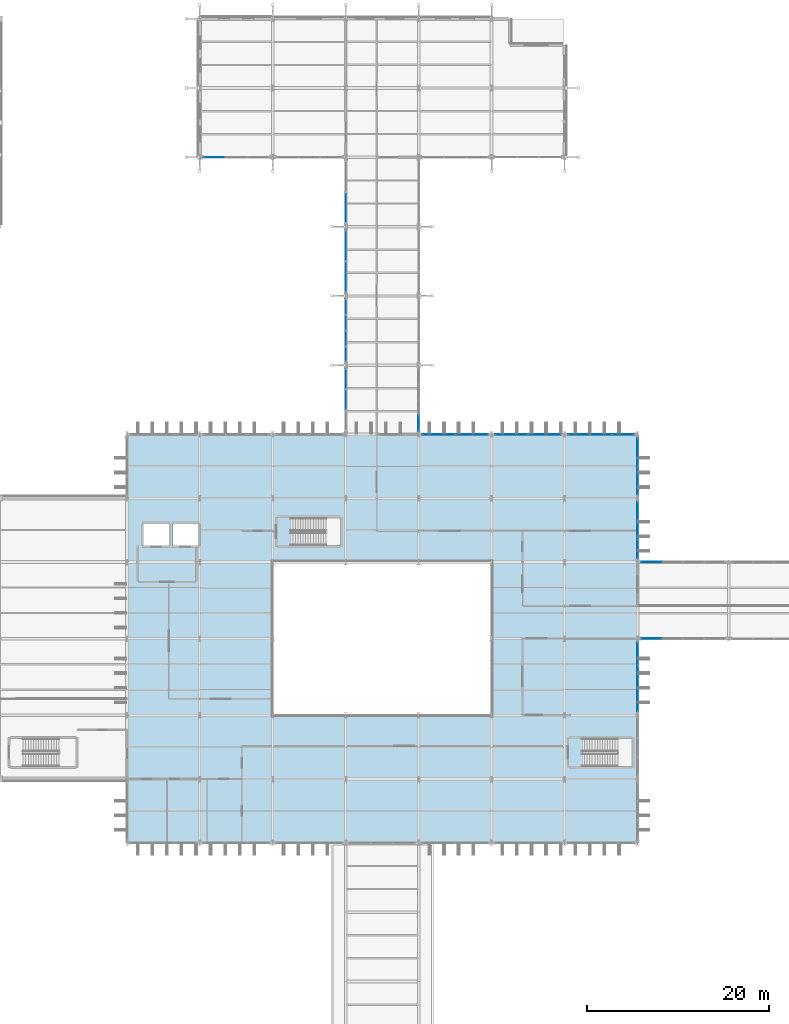
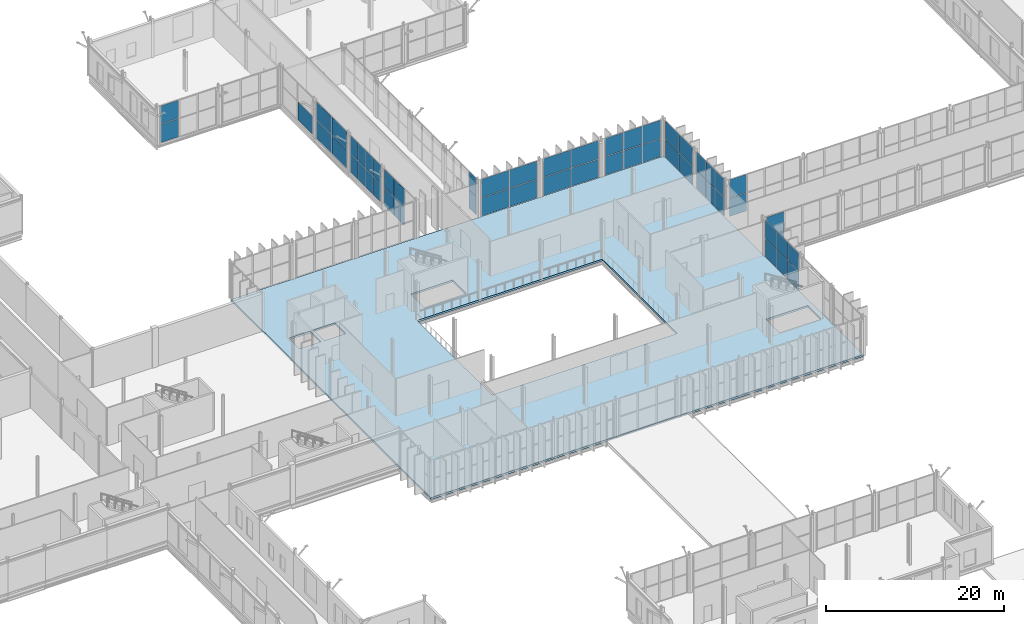
# One storey, part 103 of 147: 55 plates, 1 slab, 14 elements without a shape of their own.
"""IFC4 building model written with IfcOpenShell, lengths in metres."""

import ifcopenshell
import ifcopenshell.guid

model = None  # the IFC model being written
_history = None  # IfcOwnerHistory: only IFC2X3 demands one
_inside = {}  # id of a spatial element -> (the spatial element, [elements in it])
_under = {}  # id of a project, library or spatial element -> (it, [spatial elements below it])
_declared = {}  # id of a project -> (the project, [libraries it declares])
_typed = {}  # id of a type object -> (the type object, [elements of that type])
_made_of = {}  # id of a material, layer set ... -> (it, [elements and type objects made of it])


def new_model(schema):
    """Start an empty IFC model of exactly this schema.

    Asked for "IFC4X3", IfcOpenShell would pick the latest addendum, in which some entities
    have other attributes; the version numbers below select the first issue.
    IFC2X3 requires an IfcOwnerHistory on every rooted entity: one is made here for all.
    """
    global model, _history
    if schema == "IFC4X3":
        model = ifcopenshell.file(schema_version=(4, 3, 0, 0))
    else:
        model = ifcopenshell.file(schema=schema)
    _inside.clear()
    _under.clear()
    _declared.clear()
    _typed.clear()
    _made_of.clear()
    _history = None
    if model.schema == "IFC2X3":
        org = make("IfcOrganization", Name="unknown")
        user = make(
            "IfcPersonAndOrganization",
            ThePerson=make("IfcPerson", FamilyName="unknown"),
            TheOrganization=org,
        )
        app = make(
            "IfcApplication",
            ApplicationDeveloper=org,
            Version="unknown",
            ApplicationFullName="unknown",
            ApplicationIdentifier="unknown",
        )
        _history = make(
            "IfcOwnerHistory",
            OwningUser=user,
            OwningApplication=app,
            ChangeAction="ADDED",
            CreationDate=0,
        )
    return model


def make(cls, **values):
    """One entity of the class cls with the attributes given. An attribute that is None is left unset."""
    return model.create_entity(
        cls, **{name: value for name, value in values.items() if value is not None}
    )


def rooted(cls, **values):
    """An entity with a GlobalId (a new one), such as an element, a storey or a relation."""
    return make(cls, GlobalId=ifcopenshell.guid.new(), OwnerHistory=_history, **values)


def si_unit(unit_type, name, prefix=None):
    """IfcSIUnit, for example si_unit("LENGTHUNIT", "METRE", prefix="MILLI")."""
    return make("IfcSIUnit", UnitType=unit_type, Prefix=prefix, Name=name)


def assignment(units):
    """IfcUnitAssignment: the units of a project."""
    return None if units is None else make("IfcUnitAssignment", Units=units)


def point(xyz):
    """IfcCartesianPoint."""
    return None if xyz is None else make("IfcCartesianPoint", Coordinates=xyz)


def direction(xyz):
    """IfcDirection."""
    return None if xyz is None else make("IfcDirection", DirectionRatios=xyz)


def frame(location, z_axis=None, x_axis=None):
    """IfcAxis2Placement3D, a coordinate frame: its origin and axes. An axis left out is left unset."""
    return make(
        "IfcAxis2Placement3D",
        Location=point(location),
        Axis=direction(z_axis),
        RefDirection=direction(x_axis),
    )


def frame_2d(location, x_axis=None):
    """IfcAxis2Placement2D, a coordinate frame in the plane: its origin and x axis."""
    return make(
        "IfcAxis2Placement2D", Location=point(location), RefDirection=direction(x_axis)
    )


def origin():
    """The frame at (0, 0, 0) with its axes left unset."""
    return frame((0.0, 0.0, 0.0))


def origin_2d():
    """The frame at (0, 0) in the plane with its x axis left unset."""
    return frame_2d((0.0, 0.0))


def place(relative_to, where):
    """IfcLocalPlacement: puts the frame where relative to a parent placement (None: the world)."""
    return make(
        "IfcLocalPlacement", PlacementRelTo=relative_to, RelativePlacement=where
    )


def context(
    kind, dimensions, precision=None, world=None, true_north=None, identifier=None
):
    """IfcGeometricRepresentationContext, for example the 3D "Model" context."""
    return make(
        "IfcGeometricRepresentationContext",
        ContextIdentifier=identifier,
        ContextType=kind,
        CoordinateSpaceDimension=dimensions,
        Precision=precision,
        WorldCoordinateSystem=world,
        TrueNorth=true_north,
    )


def subcontext(parent, identifier, kind, view, scale=None):
    """IfcGeometricRepresentationSubContext, for example "Body" below "Model"."""
    return make(
        "IfcGeometricRepresentationSubContext",
        ContextIdentifier=identifier,
        ContextType=kind,
        ParentContext=parent,
        TargetScale=scale,
        TargetView=view,
    )


def project(units=None, contexts=None):
    """IfcProject with its units and contexts."""
    return rooted(
        "IfcProject",
        Name="project",
        RepresentationContexts=contexts,
        UnitsInContext=assignment(units),
    )


def spatial(cls, under=None, at=None, **own):
    """A site, building, storey or space (cls), placed at a placement, below another one or the project."""
    s = rooted(cls, ObjectPlacement=at, **own)
    if under is not None:
        _under.setdefault(under.id(), (under, []))[1].append(s)
    return s


def polyline(points):
    """IfcPolyline through the points."""
    return make("IfcPolyline", Points=[point(p) for p in points])


def profile(cls, at=None, kind="AREA", **sizes):
    """A parametric profile (cls). Its sizes go by their IFC names, for example OverallWidth=200.0."""
    return make(cls, ProfileType=kind, Position=at, **sizes)


def rectangle(**sizes):
    """IfcRectangleProfileDef."""
    return profile("IfcRectangleProfileDef", **sizes)


def outline(outer, holes=None, kind="AREA"):
    """IfcArbitraryClosedProfileDef: a profile drawn as a closed curve; with holes, ...WithVoids."""
    if holes is None:
        return make("IfcArbitraryClosedProfileDef", ProfileType=kind, OuterCurve=outer)
    return make(
        "IfcArbitraryProfileDefWithVoids",
        ProfileType=kind,
        OuterCurve=outer,
        InnerCurves=holes,
    )


def extrude(swept, where, along, depth):
    """IfcExtrudedAreaSolid: the profile swept, set in the frame where, extruded along a direction by depth."""
    return make(
        "IfcExtrudedAreaSolid",
        SweptArea=swept,
        Position=where,
        ExtrudedDirection=direction(along),
        Depth=depth,
    )


def shape(context_of_items, identifier, shape_type, items):
    """IfcShapeRepresentation: the items that make up one representation, for example the "Body"."""
    return make(
        "IfcShapeRepresentation",
        ContextOfItems=context_of_items,
        RepresentationIdentifier=identifier,
        RepresentationType=shape_type,
        Items=items,
    )


def material(Name=None, Category=None):
    """IfcMaterial."""
    return make("IfcMaterial", Name=Name, Category=Category)


def layer(
    of_material, thickness, ventilated=None, Name=None, Category=None, Priority=None
):
    """IfcMaterialLayer: one layer of a wall or slab, of a material (None: an air gap)."""
    return make(
        "IfcMaterialLayer",
        Material=of_material,
        LayerThickness=thickness,
        IsVentilated=ventilated,
        Name=Name,
        Category=Category,
        Priority=Priority,
    )


def layer_set(layers, Name=None):
    """IfcMaterialLayerSet."""
    return make("IfcMaterialLayerSet", MaterialLayers=layers, LayerSetName=Name)


def made_of(thing, what):
    """Note that an element or type object is made of a material, layer set ...; save() writes the relation."""
    if what is not None:
        _made_of.setdefault(what.id(), (what, []))[1].append(thing)
    return thing


def type_object(cls, material=None, **own):
    """A type object (cls), such as IfcWallType, which elements share."""
    return made_of(rooted(cls, **own), material)


def element(
    cls,
    number,
    at=None,
    inside=None,
    cuts=None,
    type_object=None,
    material=None,
    context=None,
    identifier="Body",
    shape_type=None,
    held_by="IfcProductDefinitionShape",
    body=None,
    shapes=None,
    **own,
):
    """One element of the class cls, such as IfcWall. Its Tag is "e" and its number.

    at: its placement. inside: the storey or other place that contains it. cuts: it is an
    opening in that element (IfcRelVoidsElement). A single representation is given by context,
    identifier, shape_type and body (its items); several are given by shapes. held_by: the class
    of the entity that holds the representations. save() writes the other relations.
    """
    e = rooted(cls, Tag="e%d" % number, ObjectPlacement=at, **own)
    if body is not None:
        shapes = [shape(context, identifier, shape_type, body)]
    if shapes is not None:
        e.Representation = make(held_by, Representations=shapes)
    if inside is not None:
        _inside.setdefault(inside.id(), (inside, []))[1].append(e)
    if cuts is not None:
        rooted(
            "IfcRelVoidsElement", RelatingBuildingElement=cuts, RelatedOpeningElement=e
        )
    if type_object is not None:
        _typed.setdefault(type_object.id(), (type_object, []))[1].append(e)
    return made_of(e, material)


def aggregate(whole, parts):
    """IfcRelAggregates: a whole, such as a stair, and the parts it consists of."""
    return rooted("IfcRelAggregates", RelatingObject=whole, RelatedObjects=parts)


def save(model, path):
    """Write the relations noted so far, then the file.

    IfcRelAggregates (storeys below a building ...), IfcRelContainedInSpatialStructure (elements
    in a storey), IfcRelDefinesByType, IfcRelAssociatesMaterial and IfcRelDeclares: one each for
    every whole, place, type object, material and project.
    """
    for whole, parts in _under.values():
        aggregate(whole, parts)
    for where, things in _inside.values():
        rooted(
            "IfcRelContainedInSpatialStructure",
            RelatedElements=things,
            RelatingStructure=where,
        )
    for kind, things in _typed.values():
        rooted("IfcRelDefinesByType", RelatedObjects=things, RelatingType=kind)
    for what, things in _made_of.values():
        rooted("IfcRelAssociatesMaterial", RelatedObjects=things, RelatingMaterial=what)
    for by, libraries in _declared.values():
        rooted("IfcRelDeclares", RelatingContext=by, RelatedDefinitions=libraries)
    model.write(path)


model = new_model("IFC4")

# Units and contexts
model_context = context("Model", 3, precision=1e-05, world=origin(), true_north=direction((0.0, 1.0)))
body_context = subcontext(model_context, "Body", "Model", "MODEL_VIEW")
ifc_project = project(units=[si_unit("LENGTHUNIT", "METRE"), si_unit("AREAUNIT", "SQUARE_METRE"), si_unit("VOLUMEUNIT", "CUBIC_METRE"), si_unit("PLANEANGLEUNIT", "RADIAN"), si_unit("MASSUNIT", "GRAM", prefix="KILO")], contexts=[model_context])

# Site, building, storey
site_placement = place(None, origin())
site = spatial("IfcSite", under=ifc_project, at=site_placement, CompositionType="ELEMENT")
building_placement = place(site_placement, origin())
building = spatial("IfcBuilding", under=site, at=building_placement, Name="Vekula Escarpment Museum", CompositionType="ELEMENT")
storey_placement = place(building_placement, frame((0.0, 0.0, 7.800048828125)))
storey = spatial("IfcBuildingStorey", under=building, at=storey_placement, Name="L02", CompositionType="ELEMENT", Elevation=7.800048828125)

# Curtain wall, plates
ifc_material_1 = material(Name="Aluminium thermally broken framing", Category="aluminium")
ifc_layer_1 = layer(ifc_material_1, 0.139892578125)
ifc_layer_set_1 = layer_set([ifc_layer_1], Name="Aluminium thermally broken framing")
curtain_wall_type_1 = type_object("IfcCurtainWallType", Name="CW-SYS-06", PredefinedType="NOTDEFINED", material=ifc_layer_set_1)
curtain_wall_1_placement = place(storey_placement, origin())
curtain_wall_1 = element("IfcCurtainWall", 1, at=curtain_wall_1_placement, inside=storey, type_object=curtain_wall_type_1, Name="Curtain Wall CW-L02-076", PredefinedType="NOTDEFINED")
ifc_material_2 = material(Name="Double solar-control low-E glass", Category="glass")
ifc_layer_2 = layer(ifc_material_2, 0.028076171875)
ifc_layer_set_2 = layer_set([ifc_layer_2], Name="Double solar-control low-E glass")
plate_type_1 = type_object("IfcPlateType", Name="CW-PNL-28", PredefinedType="CURTAIN_PANEL", material=ifc_layer_set_2)
plate_1_placement = place(storey_placement, frame((124.410400390625, 90.39990234375, 0.06494140625), z_axis=(0.0, 0.0, 1.0), x_axis=(-1.0, 0.0, 0.0)))
plate_1 = element("IfcPlate", 2, at=plate_1_placement, type_object=plate_type_1, Name="CW-06 panel 1.1", PredefinedType="CURTAIN_PANEL", context=body_context, shape_type="SweptSolid", body=[
    extrude(rectangle(XDim=2.3291015625, YDim=0.028076171875, at=origin_2d()), origin(), (0.0, 0.0, 1.0), 2.4775390625),
])
plate_2_placement = place(storey_placement, frame((124.410400390625, 90.39990234375, 2.607421875), z_axis=(0.0, 0.0, 1.0), x_axis=(-1.0, 0.0, 0.0)))
plate_2 = element("IfcPlate", 3, at=plate_2_placement, type_object=plate_type_1, Name="CW-06 panel 1.2", PredefinedType="CURTAIN_PANEL", context=body_context, shape_type="SweptSolid", body=[
    extrude(rectangle(XDim=2.3291015625, YDim=0.028076171875, at=origin_2d()), origin(), (0.0, 0.0, 1.0), 2.4775390625),
])
plate_3_placement = place(storey_placement, frame((122.0, 90.39990234375, 0.06494140625), z_axis=(0.0, 0.0, 1.0), x_axis=(-1.0, 0.0, 0.0)))
plate_3 = element("IfcPlate", 4, at=plate_3_placement, type_object=plate_type_1, Name="CW-06 panel 2.1", PredefinedType="CURTAIN_PANEL", context=body_context, shape_type="SweptSolid", body=[
    extrude(rectangle(XDim=2.361572265625, YDim=0.028076171875, at=origin_2d()), origin(), (0.0, 0.0, 1.0), 2.4775390625),
])
plate_4_placement = place(storey_placement, frame((122.0, 90.39990234375, 2.607421875), z_axis=(0.0, 0.0, 1.0), x_axis=(-1.0, 0.0, 0.0)))
plate_4 = element("IfcPlate", 5, at=plate_4_placement, type_object=plate_type_1, Name="CW-06 panel 2.2", PredefinedType="CURTAIN_PANEL", context=body_context, shape_type="SweptSolid", body=[
    extrude(rectangle(XDim=2.361572265625, YDim=0.028076171875, at=origin_2d()), origin(), (0.0, 0.0, 1.0), 2.4775390625),
])
plate_5_placement = place(storey_placement, frame((119.589599609375, 90.39990234375, 0.06494140625), z_axis=(0.0, 0.0, 1.0), x_axis=(-1.0, 0.0, 0.0)))
plate_5 = element("IfcPlate", 6, at=plate_5_placement, type_object=plate_type_1, Name="CW-06 panel 3.1", PredefinedType="CURTAIN_PANEL", context=body_context, shape_type="SweptSolid", body=[
    extrude(rectangle(XDim=2.3291015625, YDim=0.028076171875, at=origin_2d()), origin(), (0.0, 0.0, 1.0), 2.4775390625),
])
plate_6_placement = place(storey_placement, frame((119.589599609375, 90.39990234375, 2.607421875), z_axis=(0.0, 0.0, 1.0), x_axis=(-1.0, 0.0, 0.0)))
plate_6 = element("IfcPlate", 7, at=plate_6_placement, type_object=plate_type_1, Name="CW-06 panel 3.2", PredefinedType="CURTAIN_PANEL", context=body_context, shape_type="SweptSolid", body=[
    extrude(rectangle(XDim=2.3291015625, YDim=0.028076171875, at=origin_2d()), origin(), (0.0, 0.0, 1.0), 2.4775390625),
])
aggregate(curtain_wall_1, [plate_1, plate_2, plate_3, plate_4, plate_5, plate_6])

ifc_material_3 = material(Name="Aluminium thermally broken framing", Category="aluminium")
ifc_layer_3 = layer(ifc_material_3, 0.179931640625)
ifc_layer_set_3 = layer_set([ifc_layer_3], Name="Aluminium thermally broken framing")
curtain_wall_type_2 = type_object("IfcCurtainWallType", Name="CW-SYS-08", PredefinedType="NOTDEFINED", material=ifc_layer_set_3)
curtain_wall_2_placement = place(storey_placement, origin())
curtain_wall_2 = element("IfcCurtainWall", 8, at=curtain_wall_2_placement, inside=storey, type_object=curtain_wall_type_2, Name="Curtain Wall CW-L02-088", PredefinedType="NOTDEFINED")
plate_7_placement = place(storey_placement, frame((94.0, 111.103759765625, 0.06494140625), z_axis=(0.0, 0.0, 1.0), x_axis=(0.0, -1.0, 0.0)))
plate_7 = element("IfcPlate", 9, at=plate_7_placement, type_object=plate_type_1, Name="CW-08 panel 1.1", PredefinedType="CURTAIN_PANEL", context=body_context, shape_type="SweptSolid", body=[
    extrude(rectangle(XDim=3.342529296875, YDim=0.028076171875, at=origin_2d()), origin(), (0.0, 0.0, 1.0), 2.4775390625),
])
plate_8_placement = place(storey_placement, frame((94.0, 111.103759765625, 2.607421875), z_axis=(0.0, 0.0, 1.0), x_axis=(0.0, -1.0, 0.0)))
plate_8 = element("IfcPlate", 10, at=plate_8_placement, type_object=plate_type_1, Name="CW-08 panel 1.2", PredefinedType="CURTAIN_PANEL", context=body_context, shape_type="SweptSolid", body=[
    extrude(rectangle(XDim=3.342529296875, YDim=0.028076171875, at=origin_2d()), origin(), (0.0, 0.0, 1.0), 2.4775390625),
])
plate_9_placement = place(storey_placement, frame((94.0, 107.6962890625, 0.06494140625), z_axis=(0.0, 0.0, 1.0), x_axis=(0.0, -1.0, 0.0)))
plate_9 = element("IfcPlate", 11, at=plate_9_placement, type_object=plate_type_1, Name="CW-08 panel 2.1", PredefinedType="CURTAIN_PANEL", context=body_context, shape_type="SweptSolid", body=[
    extrude(rectangle(XDim=3.342529296875, YDim=0.028076171875, at=origin_2d()), origin(), (0.0, 0.0, 1.0), 2.4775390625),
])
plate_10_placement = place(storey_placement, frame((94.0, 107.6962890625, 2.607421875), z_axis=(0.0, 0.0, 1.0), x_axis=(0.0, -1.0, 0.0)))
plate_10 = element("IfcPlate", 12, at=plate_10_placement, type_object=plate_type_1, Name="CW-08 panel 2.2", PredefinedType="CURTAIN_PANEL", context=body_context, shape_type="SweptSolid", body=[
    extrude(rectangle(XDim=3.342529296875, YDim=0.028076171875, at=origin_2d()), origin(), (0.0, 0.0, 1.0), 2.4775390625),
])
aggregate(curtain_wall_2, [plate_7, plate_8, plate_9, plate_10])

ifc_material_4 = material(Name="Aluminium thermally broken framing", Category="aluminium")
ifc_layer_4 = layer(ifc_material_4, 0.199951171875)
ifc_layer_set_4 = layer_set([ifc_layer_4], Name="Aluminium thermally broken framing")
curtain_wall_type_3 = type_object("IfcCurtainWallType", Name="CW-SYS-03", PredefinedType="NOTDEFINED", material=ifc_layer_set_4)
curtain_wall_3_placement = place(storey_placement, origin())
curtain_wall_3 = element("IfcCurtainWall", 13, at=curtain_wall_3_placement, inside=storey, type_object=curtain_wall_type_3, Name="Curtain Wall CW-L02-073", PredefinedType="NOTDEFINED")
ifc_material_5 = material(Name="Acoustic laminated double low-E glass", Category="glass")
ifc_layer_5 = layer(ifc_material_5, 0.031982421875)
ifc_layer_set_5 = layer_set([ifc_layer_5], Name="Acoustic laminated double low-E glass")
plate_type_2 = type_object("IfcPlateType", Name="CW-PNL-32", PredefinedType="CURTAIN_PANEL", material=ifc_layer_set_5)
plate_11_placement = place(storey_placement, frame((127.5361328125, 76.39990234375, 0.06494140625), z_axis=(0.0, 0.0, 1.0), x_axis=(-1.0, 0.0, 0.0)))
plate_11 = element("IfcPlate", 14, at=plate_11_placement, type_object=plate_type_2, Name="CW-03 panel 4.1", PredefinedType="CURTAIN_PANEL", context=body_context, shape_type="SweptSolid", body=[
    extrude(rectangle(XDim=2.222412109375, YDim=0.031982421875, at=origin_2d()), origin(), (0.0, 0.0, 1.0), 2.4775390625),
])
plate_12_placement = place(storey_placement, frame((127.5361328125, 76.39990234375, 2.607421875), z_axis=(0.0, 0.0, 1.0), x_axis=(-1.0, 0.0, 0.0)))
plate_12 = element("IfcPlate", 15, at=plate_12_placement, type_object=plate_type_2, Name="CW-03 panel 4.2", PredefinedType="CURTAIN_PANEL", context=body_context, shape_type="SweptSolid", body=[
    extrude(rectangle(XDim=2.222412109375, YDim=0.031982421875, at=origin_2d()), origin(), (0.0, 0.0, 1.0), 2.4775390625),
])
aggregate(curtain_wall_3, [plate_11, plate_12])

ifc_material_6 = material(Name="Aluminium thermally broken framing", Category="aluminium")
ifc_layer_6 = layer(ifc_material_6, 0.179931640625)
ifc_layer_set_6 = layer_set([ifc_layer_6], Name="Aluminium thermally broken framing")
curtain_wall_type_4 = type_object("IfcCurtainWallType", Name="CW-SYS-07", PredefinedType="NOTDEFINED", material=ifc_layer_set_6)
curtain_wall_4_placement = place(storey_placement, origin())
curtain_wall_4 = element("IfcCurtainWall", 16, at=curtain_wall_4_placement, inside=storey, type_object=curtain_wall_type_4, Name="Curtain Wall CW-L02-077", PredefinedType="NOTDEFINED")
plate_13_placement = place(storey_placement, frame((115.8037109375, 90.39990234375, 0.06494140625), z_axis=(0.0, 0.0, 1.0), x_axis=(-1.0, 0.0, 0.0)))
plate_13 = element("IfcPlate", 17, at=plate_13_placement, type_object=plate_type_2, Name="CW-07 panel 1.1", PredefinedType="CURTAIN_PANEL", context=body_context, shape_type="SweptSolid", body=[
    extrude(rectangle(XDim=3.54248046875, YDim=0.031982421875, at=origin_2d()), origin(), (0.0, 0.0, 1.0), 2.4775390625),
])
plate_14_placement = place(storey_placement, frame((115.8037109375, 90.39990234375, 2.607421875), z_axis=(0.0, 0.0, 1.0), x_axis=(-1.0, 0.0, 0.0)))
plate_14 = element("IfcPlate", 18, at=plate_14_placement, type_object=plate_type_2, Name="CW-07 panel 1.2", PredefinedType="CURTAIN_PANEL", context=body_context, shape_type="SweptSolid", body=[
    extrude(rectangle(XDim=3.54248046875, YDim=0.031982421875, at=origin_2d()), origin(), (0.0, 0.0, 1.0), 2.4775390625),
])
plate_15_placement = place(storey_placement, frame((112.1962890625, 90.39990234375, 0.06494140625), z_axis=(0.0, 0.0, 1.0), x_axis=(-1.0, 0.0, 0.0)))
plate_15 = element("IfcPlate", 19, at=plate_15_placement, type_object=plate_type_2, Name="CW-07 panel 2.1", PredefinedType="CURTAIN_PANEL", context=body_context, shape_type="SweptSolid", body=[
    extrude(rectangle(XDim=3.54248046875, YDim=0.031982421875, at=origin_2d()), origin(), (0.0, 0.0, 1.0), 2.4775390625),
])
plate_16_placement = place(storey_placement, frame((112.1962890625, 90.39990234375, 2.607421875), z_axis=(0.0, 0.0, 1.0), x_axis=(-1.0, 0.0, 0.0)))
plate_16 = element("IfcPlate", 20, at=plate_16_placement, type_object=plate_type_2, Name="CW-07 panel 2.2", PredefinedType="CURTAIN_PANEL", context=body_context, shape_type="SweptSolid", body=[
    extrude(rectangle(XDim=3.54248046875, YDim=0.031982421875, at=origin_2d()), origin(), (0.0, 0.0, 1.0), 2.4775390625),
])
aggregate(curtain_wall_4, [plate_13, plate_14, plate_15, plate_16])

ifc_material_7 = material(Name="Aluminium thermally broken framing", Category="aluminium")
ifc_layer_7 = layer(ifc_material_7, 0.159912109375)
ifc_layer_set_7 = layer_set([ifc_layer_7], Name="Aluminium thermally broken framing")
curtain_wall_type_5 = type_object("IfcCurtainWallType", Name="CW-SYS-05", PredefinedType="NOTDEFINED", material=ifc_layer_set_7)
curtain_wall_5_placement = place(storey_placement, origin())
curtain_wall_5 = element("IfcCurtainWall", 21, at=curtain_wall_5_placement, inside=storey, type_object=curtain_wall_type_5, Name="Curtain Wall CW-L02-085", PredefinedType="NOTDEFINED")
plate_17_placement = place(storey_placement, frame((79.589599609375, 120.800048828125, 0.06494140625), z_axis=(0.0, 0.0, 1.0), x_axis=(1.0, 0.0, 0.0)))
plate_17 = element("IfcPlate", 22, at=plate_17_placement, type_object=plate_type_2, Name="CW-05 panel 1.1", PredefinedType="CURTAIN_PANEL", context=body_context, shape_type="SweptSolid", body=[
    extrude(rectangle(XDim=2.3291015625, YDim=0.031982421875, at=origin_2d()), origin(), (0.0, 0.0, 1.0), 2.4775390625),
])
plate_18_placement = place(storey_placement, frame((79.589599609375, 120.800048828125, 2.607421875), z_axis=(0.0, 0.0, 1.0), x_axis=(1.0, 0.0, 0.0)))
plate_18 = element("IfcPlate", 23, at=plate_18_placement, type_object=plate_type_2, Name="CW-05 panel 1.2", PredefinedType="CURTAIN_PANEL", context=body_context, shape_type="SweptSolid", body=[
    extrude(rectangle(XDim=2.3291015625, YDim=0.031982421875, at=origin_2d()), origin(), (0.0, 0.0, 1.0), 2.4775390625),
])
aggregate(curtain_wall_5, [plate_17, plate_18])

ifc_material_8 = material(Name="Aluminium thermally broken framing", Category="aluminium")
ifc_layer_8 = layer(ifc_material_8, 0.14990234375)
ifc_layer_set_8 = layer_set([ifc_layer_8], Name="Aluminium thermally broken framing")
curtain_wall_type_6 = type_object("IfcCurtainWallType", Name="CW-SYS-09", PredefinedType="NOTDEFINED", material=ifc_layer_set_8)
curtain_wall_6_placement = place(storey_placement, origin())
curtain_wall_6 = element("IfcCurtainWall", 24, at=curtain_wall_6_placement, inside=storey, type_object=curtain_wall_type_6, Name="Curtain Wall CW-L02-089", PredefinedType="NOTDEFINED")
plate_19_placement = place(storey_placement, frame((94.0, 104.36376953125, 0.06494140625), z_axis=(0.0, 0.0, 1.0), x_axis=(0.0, -1.0, 0.0)))
plate_19 = element("IfcPlate", 25, at=plate_19_placement, type_object=plate_type_2, Name="CW-09 panel 1.1", PredefinedType="CURTAIN_PANEL", context=body_context, shape_type="SweptSolid", body=[
    extrude(rectangle(XDim=1.62255859375, YDim=0.031982421875, at=origin_2d()), origin(), (0.0, 0.0, 1.0), 2.4775390625),
])
plate_20_placement = place(storey_placement, frame((94.0, 104.36376953125, 2.607421875), z_axis=(0.0, 0.0, 1.0), x_axis=(0.0, -1.0, 0.0)))
plate_20 = element("IfcPlate", 26, at=plate_20_placement, type_object=plate_type_2, Name="CW-09 panel 1.2", PredefinedType="CURTAIN_PANEL", context=body_context, shape_type="SweptSolid", body=[
    extrude(rectangle(XDim=1.62255859375, YDim=0.031982421875, at=origin_2d()), origin(), (0.0, 0.0, 1.0), 2.4775390625),
])
plate_21_placement = place(storey_placement, frame((94.0, 102.659912109375, 0.06494140625), z_axis=(0.0, 0.0, 1.0), x_axis=(0.0, -1.0, 0.0)))
plate_21 = element("IfcPlate", 27, at=plate_21_placement, type_object=plate_type_2, Name="CW-09 panel 2.1", PredefinedType="CURTAIN_PANEL", context=body_context, shape_type="SweptSolid", body=[
    extrude(rectangle(XDim=1.655029296875, YDim=0.031982421875, at=origin_2d()), origin(), (0.0, 0.0, 1.0), 2.4775390625),
])
plate_22_placement = place(storey_placement, frame((94.0, 102.659912109375, 2.607421875), z_axis=(0.0, 0.0, 1.0), x_axis=(0.0, -1.0, 0.0)))
plate_22 = element("IfcPlate", 28, at=plate_22_placement, type_object=plate_type_2, Name="CW-09 panel 2.2", PredefinedType="CURTAIN_PANEL", context=body_context, shape_type="SweptSolid", body=[
    extrude(rectangle(XDim=1.655029296875, YDim=0.031982421875, at=origin_2d()), origin(), (0.0, 0.0, 1.0), 2.4775390625),
])
plate_23_placement = place(storey_placement, frame((94.0, 100.93994140625, 0.06494140625), z_axis=(0.0, 0.0, 1.0), x_axis=(0.0, -1.0, 0.0)))
plate_23 = element("IfcPlate", 29, at=plate_23_placement, type_object=plate_type_2, Name="CW-09 panel 3.1", PredefinedType="CURTAIN_PANEL", context=body_context, shape_type="SweptSolid", body=[
    extrude(rectangle(XDim=1.655029296875, YDim=0.031982421875, at=origin_2d()), origin(), (0.0, 0.0, 1.0), 2.4775390625),
])
plate_24_placement = place(storey_placement, frame((94.0, 100.93994140625, 2.607421875), z_axis=(0.0, 0.0, 1.0), x_axis=(0.0, -1.0, 0.0)))
plate_24 = element("IfcPlate", 30, at=plate_24_placement, type_object=plate_type_2, Name="CW-09 panel 3.2", PredefinedType="CURTAIN_PANEL", context=body_context, shape_type="SweptSolid", body=[
    extrude(rectangle(XDim=1.655029296875, YDim=0.031982421875, at=origin_2d()), origin(), (0.0, 0.0, 1.0), 2.4775390625),
])
plate_25_placement = place(storey_placement, frame((94.0, 99.236328125, 0.06494140625), z_axis=(0.0, 0.0, 1.0), x_axis=(0.0, -1.0, 0.0)))
plate_25 = element("IfcPlate", 31, at=plate_25_placement, type_object=plate_type_2, Name="CW-09 panel 4.1", PredefinedType="CURTAIN_PANEL", context=body_context, shape_type="SweptSolid", body=[
    extrude(rectangle(XDim=1.62255859375, YDim=0.031982421875, at=origin_2d()), origin(), (0.0, 0.0, 1.0), 2.4775390625),
])
plate_26_placement = place(storey_placement, frame((94.0, 99.236328125, 2.607421875), z_axis=(0.0, 0.0, 1.0), x_axis=(0.0, -1.0, 0.0)))
plate_26 = element("IfcPlate", 32, at=plate_26_placement, type_object=plate_type_2, Name="CW-09 panel 4.2", PredefinedType="CURTAIN_PANEL", context=body_context, shape_type="SweptSolid", body=[
    extrude(rectangle(XDim=1.62255859375, YDim=0.031982421875, at=origin_2d()), origin(), (0.0, 0.0, 1.0), 2.4775390625),
])
aggregate(curtain_wall_6, [plate_19, plate_20, plate_21, plate_22, plate_23, plate_24, plate_25, plate_26])

ifc_material_9 = material(Name="Aluminium thermally broken framing", Category="aluminium")
ifc_layer_9 = layer(ifc_material_9, 0.159912109375)
ifc_layer_set_9 = layer_set([ifc_layer_9], Name="Aluminium thermally broken framing")
curtain_wall_type_7 = type_object("IfcCurtainWallType", Name="CW-SYS-02", PredefinedType="NOTDEFINED", material=ifc_layer_set_9)
curtain_wall_7_placement = place(storey_placement, origin())
curtain_wall_7 = element("IfcCurtainWall", 33, at=curtain_wall_7_placement, inside=storey, type_object=curtain_wall_type_7, Name="Curtain Wall CW-L02-062", PredefinedType="NOTDEFINED")
ifc_material_10 = material(Name="Triple UV-filtered museum gallery glass", Category="glass")
ifc_layer_10 = layer(ifc_material_10, 0.035888671875)
ifc_layer_set_10 = layer_set([ifc_layer_10], Name="Triple UV-filtered museum gallery glass")
plate_type_3 = type_object("IfcPlateType", Name="CW-PNL-36", PredefinedType="CURTAIN_PANEL", material=ifc_layer_set_10)
plate_27_placement = place(storey_placement, frame((126.0, 61.25634765625, 0.06494140625), z_axis=(0.0, 0.0, 1.0), x_axis=(0.0, 1.0, 0.0)))
plate_27 = element("IfcPlate", 34, at=plate_27_placement, type_object=plate_type_3, Name="CW-02 panel 1.1", PredefinedType="CURTAIN_PANEL", context=body_context, shape_type="SweptSolid", body=[
    extrude(rectangle(XDim=2.46240234375, YDim=0.035888671875, at=origin_2d()), origin(), (0.0, 0.0, 1.0), 2.4775390625),
])
plate_28_placement = place(storey_placement, frame((126.0, 61.25634765625, 2.607421875), z_axis=(0.0, 0.0, 1.0), x_axis=(0.0, 1.0, 0.0)))
plate_28 = element("IfcPlate", 35, at=plate_28_placement, type_object=plate_type_3, Name="CW-02 panel 1.2", PredefinedType="CURTAIN_PANEL", context=body_context, shape_type="SweptSolid", body=[
    extrude(rectangle(XDim=2.46240234375, YDim=0.035888671875, at=origin_2d()), origin(), (0.0, 0.0, 1.0), 2.4775390625),
])
plate_29_placement = place(storey_placement, frame((126.0, 63.800048828125, 0.06494140625), z_axis=(0.0, 0.0, 1.0), x_axis=(0.0, 1.0, 0.0)))
plate_29 = element("IfcPlate", 36, at=plate_29_placement, type_object=plate_type_3, Name="CW-02 panel 2.1", PredefinedType="CURTAIN_PANEL", context=body_context, shape_type="SweptSolid", body=[
    extrude(rectangle(XDim=2.4951171875, YDim=0.035888671875, at=origin_2d()), origin(), (0.0, 0.0, 1.0), 2.4775390625),
])
plate_30_placement = place(storey_placement, frame((126.0, 63.800048828125, 2.607421875), z_axis=(0.0, 0.0, 1.0), x_axis=(0.0, 1.0, 0.0)))
plate_30 = element("IfcPlate", 37, at=plate_30_placement, type_object=plate_type_3, Name="CW-02 panel 2.2", PredefinedType="CURTAIN_PANEL", context=body_context, shape_type="SweptSolid", body=[
    extrude(rectangle(XDim=2.4951171875, YDim=0.035888671875, at=origin_2d()), origin(), (0.0, 0.0, 1.0), 2.4775390625),
])
plate_31_placement = place(storey_placement, frame((126.0, 66.34375, 0.06494140625), z_axis=(0.0, 0.0, 1.0), x_axis=(0.0, 1.0, 0.0)))
plate_31 = element("IfcPlate", 38, at=plate_31_placement, type_object=plate_type_3, Name="CW-02 panel 3.1", PredefinedType="CURTAIN_PANEL", context=body_context, shape_type="SweptSolid", body=[
    extrude(rectangle(XDim=2.46240234375, YDim=0.035888671875, at=origin_2d()), origin(), (0.0, 0.0, 1.0), 2.4775390625),
])
plate_32_placement = place(storey_placement, frame((126.0, 66.34375, 2.607421875), z_axis=(0.0, 0.0, 1.0), x_axis=(0.0, 1.0, 0.0)))
plate_32 = element("IfcPlate", 39, at=plate_32_placement, type_object=plate_type_3, Name="CW-02 panel 3.2", PredefinedType="CURTAIN_PANEL", context=body_context, shape_type="SweptSolid", body=[
    extrude(rectangle(XDim=2.46240234375, YDim=0.035888671875, at=origin_2d()), origin(), (0.0, 0.0, 1.0), 2.4775390625),
])
aggregate(curtain_wall_7, [plate_27, plate_28, plate_29, plate_30, plate_31, plate_32])

ifc_material_11 = material(Name="Aluminium thermally broken framing", Category="aluminium")
ifc_layer_11 = layer(ifc_material_11, 0.199951171875)
ifc_layer_set_11 = layer_set([ifc_layer_11], Name="Aluminium thermally broken framing")
curtain_wall_type_8 = type_object("IfcCurtainWallType", Name="CW-SYS-04", PredefinedType="NOTDEFINED", material=ifc_layer_set_11)
curtain_wall_8_placement = place(storey_placement, origin())
curtain_wall_8 = element("IfcCurtainWall", 40, at=curtain_wall_8_placement, inside=storey, type_object=curtain_wall_type_8, Name="Curtain Wall CW-L02-074", PredefinedType="NOTDEFINED")
plate_33_placement = place(storey_placement, frame((126.0, 77.822998046875, 0.06494140625), z_axis=(0.0, 0.0, 1.0), x_axis=(0.0, 1.0, 0.0)))
plate_33 = element("IfcPlate", 41, at=plate_33_placement, type_object=plate_type_3, Name="CW-04 panel 1.1", PredefinedType="CURTAIN_PANEL", context=body_context, shape_type="SweptSolid", body=[
    extrude(rectangle(XDim=1.995849609375, YDim=0.035888671875, at=origin_2d()), origin(), (0.0, 0.0, 1.0), 2.4775390625),
])
plate_34_placement = place(storey_placement, frame((126.0, 77.822998046875, 2.607421875), z_axis=(0.0, 0.0, 1.0), x_axis=(0.0, 1.0, 0.0)))
plate_34 = element("IfcPlate", 42, at=plate_34_placement, type_object=plate_type_3, Name="CW-04 panel 1.2", PredefinedType="CURTAIN_PANEL", context=body_context, shape_type="SweptSolid", body=[
    extrude(rectangle(XDim=1.995849609375, YDim=0.035888671875, at=origin_2d()), origin(), (0.0, 0.0, 1.0), 2.4775390625),
])
plate_35_placement = place(storey_placement, frame((126.0, 79.89990234375, 0.06494140625), z_axis=(0.0, 0.0, 1.0), x_axis=(0.0, 1.0, 0.0)))
plate_35 = element("IfcPlate", 43, at=plate_35_placement, type_object=plate_type_3, Name="CW-04 panel 2.1", PredefinedType="CURTAIN_PANEL", context=body_context, shape_type="SweptSolid", body=[
    extrude(rectangle(XDim=2.0283203125, YDim=0.035888671875, at=origin_2d()), origin(), (0.0, 0.0, 1.0), 2.4775390625),
])
plate_36_placement = place(storey_placement, frame((126.0, 79.89990234375, 2.607421875), z_axis=(0.0, 0.0, 1.0), x_axis=(0.0, 1.0, 0.0)))
plate_36 = element("IfcPlate", 44, at=plate_36_placement, type_object=plate_type_3, Name="CW-04 panel 2.2", PredefinedType="CURTAIN_PANEL", context=body_context, shape_type="SweptSolid", body=[
    extrude(rectangle(XDim=2.0283203125, YDim=0.035888671875, at=origin_2d()), origin(), (0.0, 0.0, 1.0), 2.4775390625),
])
plate_37_placement = place(storey_placement, frame((126.0, 81.97705078125, 0.06494140625), z_axis=(0.0, 0.0, 1.0), x_axis=(0.0, 1.0, 0.0)))
plate_37 = element("IfcPlate", 45, at=plate_37_placement, type_object=plate_type_3, Name="CW-04 panel 3.1", PredefinedType="CURTAIN_PANEL", context=body_context, shape_type="SweptSolid", body=[
    extrude(rectangle(XDim=1.995849609375, YDim=0.035888671875, at=origin_2d()), origin(), (0.0, 0.0, 1.0), 2.4775390625),
])
plate_38_placement = place(storey_placement, frame((126.0, 81.97705078125, 2.607421875), z_axis=(0.0, 0.0, 1.0), x_axis=(0.0, 1.0, 0.0)))
plate_38 = element("IfcPlate", 46, at=plate_38_placement, type_object=plate_type_3, Name="CW-04 panel 3.2", PredefinedType="CURTAIN_PANEL", context=body_context, shape_type="SweptSolid", body=[
    extrude(rectangle(XDim=1.995849609375, YDim=0.035888671875, at=origin_2d()), origin(), (0.0, 0.0, 1.0), 2.4775390625),
])
aggregate(curtain_wall_8, [plate_33, plate_34, plate_35, plate_36, plate_37, plate_38])

curtain_wall_9_placement = place(storey_placement, origin())
curtain_wall_9 = element("IfcCurtainWall", 47, at=curtain_wall_9_placement, inside=storey, type_object=curtain_wall_type_2, Name="Curtain Wall CW-L02-078", PredefinedType="NOTDEFINED")
plate_39_placement = place(storey_placement, frame((107.8037109375, 90.39990234375, 0.06494140625), z_axis=(0.0, 0.0, 1.0), x_axis=(-1.0, 0.0, 0.0)))
plate_39 = element("IfcPlate", 48, at=plate_39_placement, type_object=plate_type_3, Name="CW-08 panel 1.1", PredefinedType="CURTAIN_PANEL", context=body_context, shape_type="SweptSolid", body=[
    extrude(rectangle(XDim=3.54248046875, YDim=0.035888671875, at=origin_2d()), origin(), (0.0, 0.0, 1.0), 2.4775390625),
])
plate_40_placement = place(storey_placement, frame((107.8037109375, 90.39990234375, 2.607421875), z_axis=(0.0, 0.0, 1.0), x_axis=(-1.0, 0.0, 0.0)))
plate_40 = element("IfcPlate", 49, at=plate_40_placement, type_object=plate_type_3, Name="CW-08 panel 1.2", PredefinedType="CURTAIN_PANEL", context=body_context, shape_type="SweptSolid", body=[
    extrude(rectangle(XDim=3.54248046875, YDim=0.035888671875, at=origin_2d()), origin(), (0.0, 0.0, 1.0), 2.4775390625),
])
plate_41_placement = place(storey_placement, frame((104.1962890625, 90.39990234375, 0.06494140625), z_axis=(0.0, 0.0, 1.0), x_axis=(-1.0, 0.0, 0.0)))
plate_41 = element("IfcPlate", 50, at=plate_41_placement, type_object=plate_type_3, Name="CW-08 panel 2.1", PredefinedType="CURTAIN_PANEL", context=body_context, shape_type="SweptSolid", body=[
    extrude(rectangle(XDim=3.54248046875, YDim=0.035888671875, at=origin_2d()), origin(), (0.0, 0.0, 1.0), 2.4775390625),
])
plate_42_placement = place(storey_placement, frame((104.1962890625, 90.39990234375, 2.607421875), z_axis=(0.0, 0.0, 1.0), x_axis=(-1.0, 0.0, 0.0)))
plate_42 = element("IfcPlate", 51, at=plate_42_placement, type_object=plate_type_3, Name="CW-08 panel 2.2", PredefinedType="CURTAIN_PANEL", context=body_context, shape_type="SweptSolid", body=[
    extrude(rectangle(XDim=3.54248046875, YDim=0.035888671875, at=origin_2d()), origin(), (0.0, 0.0, 1.0), 2.4775390625),
])
aggregate(curtain_wall_9, [plate_39, plate_40, plate_41, plate_42])

ifc_material_12 = material(Name="Aluminium thermally broken framing", Category="aluminium")
ifc_layer_12 = layer(ifc_material_12, 0.169921875)
ifc_layer_set_12 = layer_set([ifc_layer_12], Name="Aluminium thermally broken framing")
curtain_wall_type_9 = type_object("IfcCurtainWallType", Name="CW-SYS-10", PredefinedType="NOTDEFINED", material=ifc_layer_set_12)
curtain_wall_10_placement = place(storey_placement, origin())
curtain_wall_10 = element("IfcCurtainWall", 52, at=curtain_wall_10_placement, inside=storey, type_object=curtain_wall_type_9, Name="Curtain Wall CW-L02-090", PredefinedType="NOTDEFINED")
plate_43_placement = place(storey_placement, frame((94.0, 96.47705078125, 0.06494140625), z_axis=(0.0, 0.0, 1.0), x_axis=(0.0, -1.0, 0.0)))
plate_43 = element("IfcPlate", 53, at=plate_43_placement, type_object=plate_type_3, Name="CW-10 panel 1.1", PredefinedType="CURTAIN_PANEL", context=body_context, shape_type="SweptSolid", body=[
    extrude(rectangle(XDim=2.19580078125, YDim=0.035888671875, at=origin_2d()), origin(), (0.0, 0.0, 1.0), 2.4775390625),
])
plate_44_placement = place(storey_placement, frame((94.0, 96.47705078125, 2.607421875), z_axis=(0.0, 0.0, 1.0), x_axis=(0.0, -1.0, 0.0)))
plate_44 = element("IfcPlate", 54, at=plate_44_placement, type_object=plate_type_3, Name="CW-10 panel 1.2", PredefinedType="CURTAIN_PANEL", context=body_context, shape_type="SweptSolid", body=[
    extrude(rectangle(XDim=2.19580078125, YDim=0.035888671875, at=origin_2d()), origin(), (0.0, 0.0, 1.0), 2.4775390625),
])
plate_45_placement = place(storey_placement, frame((94.0, 94.199951171875, 0.06494140625), z_axis=(0.0, 0.0, 1.0), x_axis=(0.0, -1.0, 0.0)))
plate_45 = element("IfcPlate", 55, at=plate_45_placement, type_object=plate_type_3, Name="CW-10 panel 2.1", PredefinedType="CURTAIN_PANEL", context=body_context, shape_type="SweptSolid", body=[
    extrude(rectangle(XDim=2.228271484375, YDim=0.035888671875, at=origin_2d()), origin(), (0.0, 0.0, 1.0), 2.4775390625),
])
plate_46_placement = place(storey_placement, frame((94.0, 94.199951171875, 2.607421875), z_axis=(0.0, 0.0, 1.0), x_axis=(0.0, -1.0, 0.0)))
plate_46 = element("IfcPlate", 56, at=plate_46_placement, type_object=plate_type_3, Name="CW-10 panel 2.2", PredefinedType="CURTAIN_PANEL", context=body_context, shape_type="SweptSolid", body=[
    extrude(rectangle(XDim=2.228271484375, YDim=0.035888671875, at=origin_2d()), origin(), (0.0, 0.0, 1.0), 2.4775390625),
])
aggregate(curtain_wall_10, [plate_43, plate_44, plate_45, plate_46])

curtain_wall_11_placement = place(storey_placement, origin())
curtain_wall_11 = element("IfcCurtainWall", 57, at=curtain_wall_11_placement, inside=storey, type_object=curtain_wall_type_3, Name="Curtain Wall CW-L02-063", PredefinedType="NOTDEFINED")
ifc_material_13 = material(Name="Insulated bronze spandrel glass panel", Category="glass")
ifc_layer_13 = layer(ifc_material_13, 0.0400390625)
ifc_layer_set_13 = layer_set([ifc_layer_13], Name="Insulated bronze spandrel glass panel")
plate_type_4 = type_object("IfcPlateType", Name="CW-PNL-40", PredefinedType="CURTAIN_PANEL", material=ifc_layer_set_13)
plate_47_placement = place(storey_placement, frame((127.5361328125, 68.0, 0.06494140625), z_axis=(0.0, 0.0, 1.0), x_axis=(1.0, 0.0, 0.0)))
plate_47 = element("IfcPlate", 58, at=plate_47_placement, type_object=plate_type_4, Name="CW-03 panel 1.1", PredefinedType="CURTAIN_PANEL", context=body_context, shape_type="SweptSolid", body=[
    extrude(rectangle(XDim=2.222412109375, YDim=0.0400390625, at=origin_2d()), origin(), (0.0, 0.0, 1.0), 2.4775390625),
])
plate_48_placement = place(storey_placement, frame((127.5361328125, 68.0, 2.607421875), z_axis=(0.0, 0.0, 1.0), x_axis=(1.0, 0.0, 0.0)))
plate_48 = element("IfcPlate", 59, at=plate_48_placement, type_object=plate_type_4, Name="CW-03 panel 1.2", PredefinedType="CURTAIN_PANEL", context=body_context, shape_type="SweptSolid", body=[
    extrude(rectangle(XDim=2.222412109375, YDim=0.0400390625, at=origin_2d()), origin(), (0.0, 0.0, 1.0), 2.4775390625),
])
aggregate(curtain_wall_11, [plate_47, plate_48])

curtain_wall_12_placement = place(storey_placement, origin())
curtain_wall_12 = element("IfcCurtainWall", 60, at=curtain_wall_12_placement, inside=storey, type_object=curtain_wall_type_5, Name="Curtain Wall CW-L02-075", PredefinedType="NOTDEFINED")
plate_49_placement = place(storey_placement, frame((126.0, 85.34619140625, 0.06494140625), z_axis=(0.0, 0.0, 1.0), x_axis=(0.0, 1.0, 0.0)))
plate_49 = element("IfcPlate", 61, at=plate_49_placement, type_object=plate_type_4, Name="CW-05 panel 1.1", PredefinedType="CURTAIN_PANEL", context=body_context, shape_type="SweptSolid", body=[
    extrude(rectangle(XDim=3.04248046875, YDim=0.0400390625, at=origin_2d()), origin(), (0.0, 0.0, 1.0), 2.4775390625),
])
plate_50_placement = place(storey_placement, frame((126.0, 85.34619140625, 2.607421875), z_axis=(0.0, 0.0, 1.0), x_axis=(0.0, 1.0, 0.0)))
plate_50 = element("IfcPlate", 62, at=plate_50_placement, type_object=plate_type_4, Name="CW-05 panel 1.2", PredefinedType="CURTAIN_PANEL", context=body_context, shape_type="SweptSolid", body=[
    extrude(rectangle(XDim=3.04248046875, YDim=0.0400390625, at=origin_2d()), origin(), (0.0, 0.0, 1.0), 2.4775390625),
])
plate_51_placement = place(storey_placement, frame((126.0, 88.453857421875, 0.06494140625), z_axis=(0.0, 0.0, 1.0), x_axis=(0.0, 1.0, 0.0)))
plate_51 = element("IfcPlate", 63, at=plate_51_placement, type_object=plate_type_4, Name="CW-05 panel 2.1", PredefinedType="CURTAIN_PANEL", context=body_context, shape_type="SweptSolid", body=[
    extrude(rectangle(XDim=3.04248046875, YDim=0.0400390625, at=origin_2d()), origin(), (0.0, 0.0, 1.0), 2.4775390625),
])
plate_52_placement = place(storey_placement, frame((126.0, 88.453857421875, 2.607421875), z_axis=(0.0, 0.0, 1.0), x_axis=(0.0, 1.0, 0.0)))
plate_52 = element("IfcPlate", 64, at=plate_52_placement, type_object=plate_type_4, Name="CW-05 panel 2.2", PredefinedType="CURTAIN_PANEL", context=body_context, shape_type="SweptSolid", body=[
    extrude(rectangle(XDim=3.04248046875, YDim=0.0400390625, at=origin_2d()), origin(), (0.0, 0.0, 1.0), 2.4775390625),
])
aggregate(curtain_wall_12, [plate_49, plate_50, plate_51, plate_52])

curtain_wall_13_placement = place(storey_placement, origin())
curtain_wall_13 = element("IfcCurtainWall", 65, at=curtain_wall_13_placement, inside=storey, type_object=curtain_wall_type_6, Name="Curtain Wall CW-L02-079", PredefinedType="NOTDEFINED")
plate_53_placement = place(storey_placement, frame((102.0, 91.63623046875, 0.06494140625), z_axis=(0.0, 0.0, 1.0), x_axis=(0.0, 1.0, 0.0)))
plate_53 = element("IfcPlate", 66, at=plate_53_placement, type_object=plate_type_4, Name="CW-09 panel 1.1", PredefinedType="CURTAIN_PANEL", context=body_context, shape_type="SweptSolid", body=[
    extrude(rectangle(XDim=1.62255859375, YDim=0.0400390625, at=origin_2d()), origin(), (0.0, 0.0, 1.0), 2.4775390625),
])
plate_54_placement = place(storey_placement, frame((102.0, 91.63623046875, 2.607421875), z_axis=(0.0, 0.0, 1.0), x_axis=(0.0, 1.0, 0.0)))
plate_54 = element("IfcPlate", 67, at=plate_54_placement, type_object=plate_type_4, Name="CW-09 panel 1.2", PredefinedType="CURTAIN_PANEL", context=body_context, shape_type="SweptSolid", body=[
    extrude(rectangle(XDim=1.62255859375, YDim=0.0400390625, at=origin_2d()), origin(), (0.0, 0.0, 1.0), 2.4775390625),
])
aggregate(curtain_wall_13, [plate_53, plate_54])

# Curtain wall, plate
curtain_wall_14_placement = place(storey_placement, origin())
curtain_wall_14 = element("IfcCurtainWall", 68, at=curtain_wall_14_placement, inside=storey, type_object=curtain_wall_type_4, Name="Curtain Wall CW-L02-087", PredefinedType="NOTDEFINED")
plate_55_placement = place(storey_placement, frame((94.0, 115.296142578125, 0.06494140625), z_axis=(0.0, 0.0, 1.0), x_axis=(0.0, -1.0, 0.0)))
plate_55 = element("IfcPlate", 69, at=plate_55_placement, type_object=plate_type_4, Name="CW-07 panel 2.1", PredefinedType="CURTAIN_PANEL", context=body_context, shape_type="SweptSolid", body=[
    extrude(rectangle(XDim=3.342529296875, YDim=0.0400390625, at=origin_2d()), origin(), (0.0, 0.0, 1.0), 2.4775390625),
])
aggregate(curtain_wall_14, [plate_55])

# Slab
ifc_material_14 = material(Name="Concrete C35/45", Category="concrete")
ifc_layer_14 = layer(ifc_material_14, 0.260009765625)
ifc_layer_set_14 = layer_set([ifc_layer_14], Name="Concrete C35/45")
slab_type = type_object("IfcSlabType", Name="SL-FLR-260", PredefinedType="FLOOR", material=ifc_layer_set_14)
slab_placement = place(storey_placement, frame((0.0, 0.0, -0.260009765625)))
element("IfcSlab", 70, at=slab_placement, inside=storey, type_object=slab_type, Name="Floor Slab W-L02-V1-C", PredefinedType="FLOOR", context=body_context, shape_type="SweptSolid", body=[
    extrude(outline(polyline([(70.0, 45.60009765625), (126.0, 45.60009765625), (126.0, 90.39990234375), (70.0, 90.39990234375), (70.0, 45.60009765625)]), holes=[polyline([(86.0, 59.60009765625), (110.0, 59.60009765625), (110.0, 76.39990234375), (86.0, 76.39990234375), (86.0, 59.60009765625)]), polyline([(119.97998046875, 54.0), (125.39990234375, 54.0), (125.39990234375, 57.0400390625), (119.97998046875, 57.0400390625), (119.97998046875, 54.0)]), polyline([(87.97998046875, 78.199951171875), (93.39990234375, 78.199951171875), (93.39990234375, 81.239990234375), (87.97998046875, 81.239990234375), (87.97998046875, 78.199951171875)]), polyline([(71.800048828125, 78.199951171875), (74.60009765625, 78.199951171875), (74.60009765625, 80.60009765625), (71.800048828125, 80.60009765625), (71.800048828125, 78.199951171875)]), polyline([(75.0, 78.199951171875), (77.800048828125, 78.199951171875), (77.800048828125, 80.60009765625), (75.0, 80.60009765625), (75.0, 78.199951171875)])]), origin(), (0.0, 0.0, 1.0), 0.260009765625),
])

save(model, "model.ifc")
